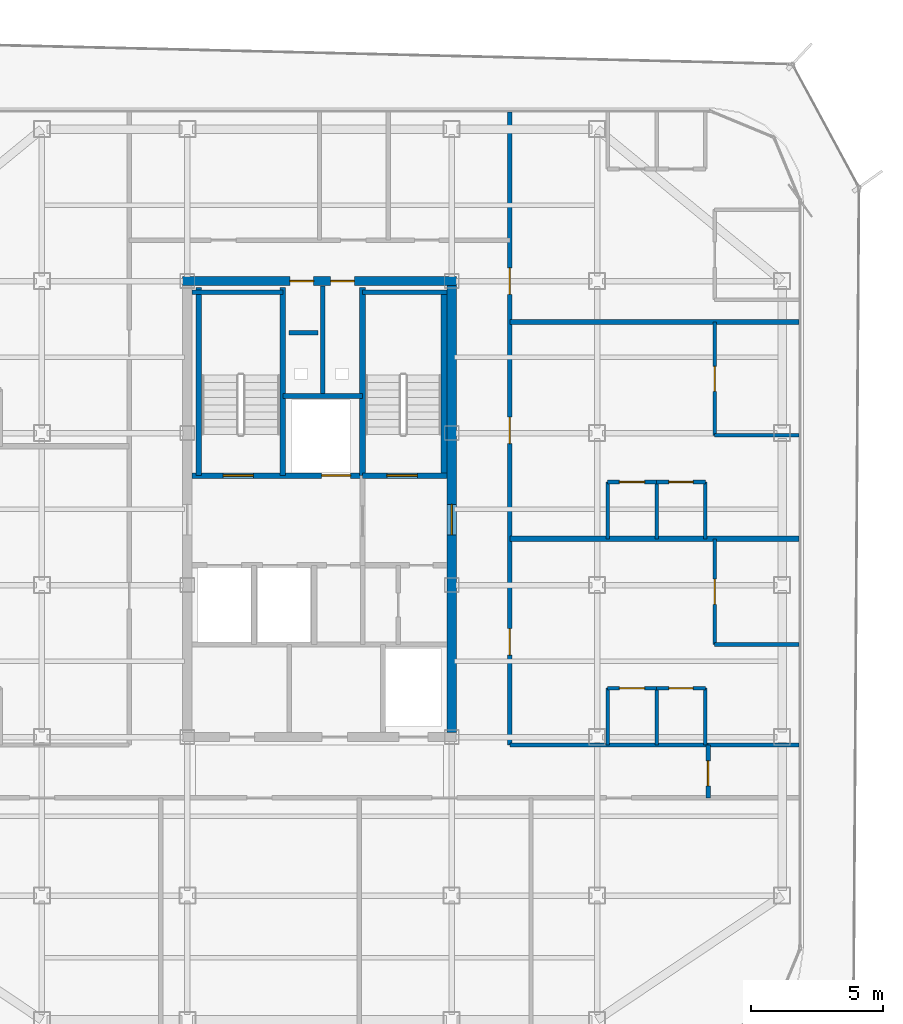
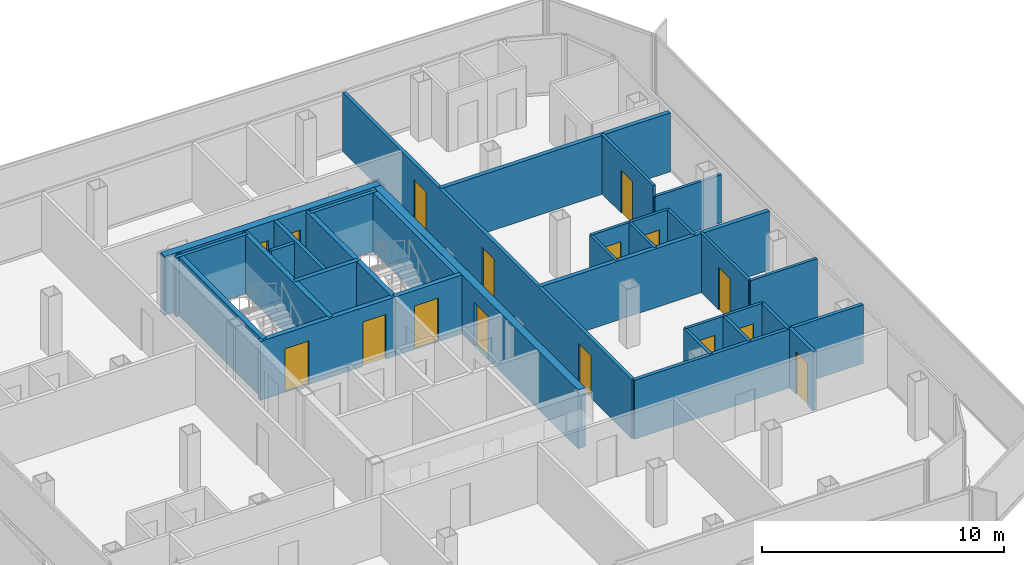
# One storey, part 11 of 15: 33 walls, 16 doors, 16 openings.
"""IFC4 building model written with IfcOpenShell, lengths in metres."""

import ifcopenshell
import ifcopenshell.guid

model = None  # the IFC model being written
_history = None  # IfcOwnerHistory: only IFC2X3 demands one
_inside = {}  # id of a spatial element -> (the spatial element, [elements in it])
_under = {}  # id of a project, library or spatial element -> (it, [spatial elements below it])
_declared = {}  # id of a project -> (the project, [libraries it declares])
_typed = {}  # id of a type object -> (the type object, [elements of that type])
_made_of = {}  # id of a material, layer set ... -> (it, [elements and type objects made of it])


def new_model(schema):
    """Start an empty IFC model of exactly this schema.

    Asked for "IFC4X3", IfcOpenShell would pick the latest addendum, in which some entities
    have other attributes; the version numbers below select the first issue.
    IFC2X3 requires an IfcOwnerHistory on every rooted entity: one is made here for all.
    """
    global model, _history
    if schema == "IFC4X3":
        model = ifcopenshell.file(schema_version=(4, 3, 0, 0))
    else:
        model = ifcopenshell.file(schema=schema)
    _inside.clear()
    _under.clear()
    _declared.clear()
    _typed.clear()
    _made_of.clear()
    _history = None
    if model.schema == "IFC2X3":
        org = make("IfcOrganization", Name="unknown")
        user = make(
            "IfcPersonAndOrganization",
            ThePerson=make("IfcPerson", FamilyName="unknown"),
            TheOrganization=org,
        )
        app = make(
            "IfcApplication",
            ApplicationDeveloper=org,
            Version="unknown",
            ApplicationFullName="unknown",
            ApplicationIdentifier="unknown",
        )
        _history = make(
            "IfcOwnerHistory",
            OwningUser=user,
            OwningApplication=app,
            ChangeAction="ADDED",
            CreationDate=0,
        )
    return model


def make(cls, **values):
    """One entity of the class cls with the attributes given. An attribute that is None is left unset."""
    return model.create_entity(
        cls, **{name: value for name, value in values.items() if value is not None}
    )


def rooted(cls, **values):
    """An entity with a GlobalId (a new one), such as an element, a storey or a relation."""
    return make(cls, GlobalId=ifcopenshell.guid.new(), OwnerHistory=_history, **values)


def si_unit(unit_type, name, prefix=None):
    """IfcSIUnit, for example si_unit("LENGTHUNIT", "METRE", prefix="MILLI")."""
    return make("IfcSIUnit", UnitType=unit_type, Prefix=prefix, Name=name)


def assignment(units):
    """IfcUnitAssignment: the units of a project."""
    return None if units is None else make("IfcUnitAssignment", Units=units)


def point(xyz):
    """IfcCartesianPoint."""
    return None if xyz is None else make("IfcCartesianPoint", Coordinates=xyz)


def direction(xyz):
    """IfcDirection."""
    return None if xyz is None else make("IfcDirection", DirectionRatios=xyz)


def frame(location, z_axis=None, x_axis=None):
    """IfcAxis2Placement3D, a coordinate frame: its origin and axes. An axis left out is left unset."""
    return make(
        "IfcAxis2Placement3D",
        Location=point(location),
        Axis=direction(z_axis),
        RefDirection=direction(x_axis),
    )


def frame_2d(location, x_axis=None):
    """IfcAxis2Placement2D, a coordinate frame in the plane: its origin and x axis."""
    return make(
        "IfcAxis2Placement2D", Location=point(location), RefDirection=direction(x_axis)
    )


def origin():
    """The frame at (0, 0, 0) with its axes left unset."""
    return frame((0.0, 0.0, 0.0))


def place(relative_to, where):
    """IfcLocalPlacement: puts the frame where relative to a parent placement (None: the world)."""
    return make(
        "IfcLocalPlacement", PlacementRelTo=relative_to, RelativePlacement=where
    )


def context(
    kind, dimensions, precision=None, world=None, true_north=None, identifier=None
):
    """IfcGeometricRepresentationContext, for example the 3D "Model" context."""
    return make(
        "IfcGeometricRepresentationContext",
        ContextIdentifier=identifier,
        ContextType=kind,
        CoordinateSpaceDimension=dimensions,
        Precision=precision,
        WorldCoordinateSystem=world,
        TrueNorth=true_north,
    )


def subcontext(parent, identifier, kind, view, scale=None):
    """IfcGeometricRepresentationSubContext, for example "Body" below "Model"."""
    return make(
        "IfcGeometricRepresentationSubContext",
        ContextIdentifier=identifier,
        ContextType=kind,
        ParentContext=parent,
        TargetScale=scale,
        TargetView=view,
    )


def project(units=None, contexts=None):
    """IfcProject with its units and contexts."""
    return rooted(
        "IfcProject",
        Name="project",
        RepresentationContexts=contexts,
        UnitsInContext=assignment(units),
    )


def spatial(cls, under=None, at=None, **own):
    """A site, building, storey or space (cls), placed at a placement, below another one or the project."""
    s = rooted(cls, ObjectPlacement=at, **own)
    if under is not None:
        _under.setdefault(under.id(), (under, []))[1].append(s)
    return s


def profile(cls, at=None, kind="AREA", **sizes):
    """A parametric profile (cls). Its sizes go by their IFC names, for example OverallWidth=200.0."""
    return make(cls, ProfileType=kind, Position=at, **sizes)


def rectangle(**sizes):
    """IfcRectangleProfileDef."""
    return profile("IfcRectangleProfileDef", **sizes)


def extrude(swept, where, along, depth):
    """IfcExtrudedAreaSolid: the profile swept, set in the frame where, extruded along a direction by depth."""
    return make(
        "IfcExtrudedAreaSolid",
        SweptArea=swept,
        Position=where,
        ExtrudedDirection=direction(along),
        Depth=depth,
    )


def shape(context_of_items, identifier, shape_type, items):
    """IfcShapeRepresentation: the items that make up one representation, for example the "Body"."""
    return make(
        "IfcShapeRepresentation",
        ContextOfItems=context_of_items,
        RepresentationIdentifier=identifier,
        RepresentationType=shape_type,
        Items=items,
    )


def material(Name=None, Category=None):
    """IfcMaterial."""
    return make("IfcMaterial", Name=Name, Category=Category)


def layer(
    of_material, thickness, ventilated=None, Name=None, Category=None, Priority=None
):
    """IfcMaterialLayer: one layer of a wall or slab, of a material (None: an air gap)."""
    return make(
        "IfcMaterialLayer",
        Material=of_material,
        LayerThickness=thickness,
        IsVentilated=ventilated,
        Name=Name,
        Category=Category,
        Priority=Priority,
    )


def layer_set(layers, Name=None):
    """IfcMaterialLayerSet."""
    return make("IfcMaterialLayerSet", MaterialLayers=layers, LayerSetName=Name)


def made_of(thing, what):
    """Note that an element or type object is made of a material, layer set ...; save() writes the relation."""
    if what is not None:
        _made_of.setdefault(what.id(), (what, []))[1].append(thing)
    return thing


def type_object(cls, material=None, **own):
    """A type object (cls), such as IfcWallType, which elements share."""
    return made_of(rooted(cls, **own), material)


def element(
    cls,
    number,
    at=None,
    inside=None,
    cuts=None,
    type_object=None,
    material=None,
    context=None,
    identifier="Body",
    shape_type=None,
    held_by="IfcProductDefinitionShape",
    body=None,
    shapes=None,
    **own,
):
    """One element of the class cls, such as IfcWall. Its Tag is "e" and its number.

    at: its placement. inside: the storey or other place that contains it. cuts: it is an
    opening in that element (IfcRelVoidsElement). A single representation is given by context,
    identifier, shape_type and body (its items); several are given by shapes. held_by: the class
    of the entity that holds the representations. save() writes the other relations.
    """
    e = rooted(cls, Tag="e%d" % number, ObjectPlacement=at, **own)
    if body is not None:
        shapes = [shape(context, identifier, shape_type, body)]
    if shapes is not None:
        e.Representation = make(held_by, Representations=shapes)
    if inside is not None:
        _inside.setdefault(inside.id(), (inside, []))[1].append(e)
    if cuts is not None:
        rooted(
            "IfcRelVoidsElement", RelatingBuildingElement=cuts, RelatedOpeningElement=e
        )
    if type_object is not None:
        _typed.setdefault(type_object.id(), (type_object, []))[1].append(e)
    return made_of(e, material)


def fill(opening, filler):
    """IfcRelFillsElement: the door or window that sits in an opening."""
    return rooted(
        "IfcRelFillsElement",
        RelatingOpeningElement=opening,
        RelatedBuildingElement=filler,
    )


def aggregate(whole, parts):
    """IfcRelAggregates: a whole, such as a stair, and the parts it consists of."""
    return rooted("IfcRelAggregates", RelatingObject=whole, RelatedObjects=parts)


def save(model, path):
    """Write the relations noted so far, then the file.

    IfcRelAggregates (storeys below a building ...), IfcRelContainedInSpatialStructure (elements
    in a storey), IfcRelDefinesByType, IfcRelAssociatesMaterial and IfcRelDeclares: one each for
    every whole, place, type object, material and project.
    """
    for whole, parts in _under.values():
        aggregate(whole, parts)
    for where, things in _inside.values():
        rooted(
            "IfcRelContainedInSpatialStructure",
            RelatedElements=things,
            RelatingStructure=where,
        )
    for kind, things in _typed.values():
        rooted("IfcRelDefinesByType", RelatedObjects=things, RelatingType=kind)
    for what, things in _made_of.values():
        rooted("IfcRelAssociatesMaterial", RelatedObjects=things, RelatingMaterial=what)
    for by, libraries in _declared.values():
        rooted("IfcRelDeclares", RelatingContext=by, RelatedDefinitions=libraries)
    model.write(path)


model = new_model("IFC4")

# Units and contexts
model_context = context("Model", 3, precision=1e-05, world=origin(), true_north=direction((0.0, 1.0)))
body_context = subcontext(model_context, "Body", "Model", "MODEL_VIEW")
ifc_project = project(units=[si_unit("LENGTHUNIT", "METRE"), si_unit("AREAUNIT", "SQUARE_METRE"), si_unit("VOLUMEUNIT", "CUBIC_METRE"), si_unit("PLANEANGLEUNIT", "RADIAN"), si_unit("MASSUNIT", "GRAM", prefix="KILO")], contexts=[model_context])

# Site, building, storey
site_placement = place(None, origin())
site = spatial("IfcSite", under=ifc_project, at=site_placement, CompositionType="ELEMENT")
building_placement = place(site_placement, origin())
building = spatial("IfcBuilding", under=site, at=building_placement, Name="Kolveth Station Tower", CompositionType="ELEMENT")
storey_placement = place(building_placement, frame((0.0, 0.0, 248.89990234375)))
storey = spatial("IfcBuildingStorey", under=building, at=storey_placement, Name="L71", CompositionType="ELEMENT", Elevation=248.89990234375)

# Wall, openings, doors
ifc_material_1 = material(Name="Concrete C50/60", Category="concrete")
ifc_layer_1 = layer(ifc_material_1, 0.35009765625)
ifc_layer_set_1 = layer_set([ifc_layer_1], Name="Concrete C50/60")
wall_type_1 = type_object("IfcWallType", Name="Wall_CW-350", PredefinedType="SHEAR", material=ifc_layer_set_1)
wall_1_placement = place(storey_placement, frame((18.324951171875, 28.75, 0.0), z_axis=(0.0, 0.0, 1.0), x_axis=(1.0, 0.0, 0.0)))
wall_1 = element("IfcWall", 1, at=wall_1_placement, inside=storey, type_object=wall_type_1, Name="L71 Core RC Shear Wall N", PredefinedType="SHEAR", context=body_context, shape_type="SweptSolid", body=[
    extrude(rectangle(XDim=10.35009765625, YDim=0.35009765625, at=frame_2d((5.175048828125, 0.0))), origin(), (0.0, 0.0, 1.0), 2.97998046875),
])
opening_1_placement = place(wall_1_placement, frame((4.054931640625, 0.0, 0.0)))
opening_1 = element("IfcOpeningElement", 2, at=opening_1_placement, cuts=wall_1, Name="Opening RD1", PredefinedType="OPENING", context=body_context, shape_type="SweptSolid", body=[
    extrude(rectangle(XDim=0.89990234375, YDim=2.050048828125, at=frame_2d((0.449951171875, 1.02490234375))), frame((0.0, 0.18505859375, 0.0), z_axis=(0.0, -1.0, 0.0), x_axis=(1.0, 0.0, 0.0)), (0.0, 0.0, 1.0), 0.3701171875),
])
opening_2_placement = place(wall_1_placement, frame((5.594970703125, 0.0, 0.0)))
opening_2 = element("IfcOpeningElement", 3, at=opening_2_placement, cuts=wall_1, Name="Opening RD1", PredefinedType="OPENING", context=body_context, shape_type="SweptSolid", body=[
    extrude(rectangle(XDim=0.89990234375, YDim=2.050048828125, at=frame_2d((0.449951171875, 1.02490234375))), frame((0.0, 0.18505859375, 0.0), z_axis=(0.0, -1.0, 0.0), x_axis=(1.0, 0.0, 0.0)), (0.0, 0.0, 1.0), 0.3701171875),
])
ifc_material_2 = material(Name="Fire-rated Steel S355 riser access leaf", Category="steel")
door_type_1 = type_object("IfcDoorType", Name="Door_RD1", OperationType="NOTDEFINED", PredefinedType="DOOR", material=ifc_material_2)
door_1_placement = place(opening_1_placement, origin())
door_1 = element("IfcDoor", 4, at=door_1_placement, inside=storey, type_object=door_type_1, Name="L71 Electrical Riser Access Door", OperationType="SINGLE_SWING_LEFT", OverallHeight=2.050048828125, OverallWidth=0.89990234375, PredefinedType="DOOR", context=body_context, shape_type="SweptSolid", body=[
    extrude(rectangle(XDim=0.89990234375, YDim=2.050048828125, at=frame_2d((0.449951171875, 1.02490234375))), frame((0.0, 0.02490234375, 0.0), z_axis=(0.0, -1.0, 0.0), x_axis=(1.0, 0.0, 0.0)), (0.0, 0.0, 1.0), 0.050048828125),
])
fill(opening_1, door_1)
door_2_placement = place(opening_2_placement, origin())
door_2 = element("IfcDoor", 5, at=door_2_placement, inside=storey, type_object=door_type_1, Name="L71 Smoke Duct Access Door", OperationType="SINGLE_SWING_LEFT", OverallHeight=2.050048828125, OverallWidth=0.89990234375, PredefinedType="DOOR", context=body_context, shape_type="SweptSolid", body=[
    extrude(rectangle(XDim=0.89990234375, YDim=2.050048828125, at=frame_2d((0.449951171875, 1.02490234375))), frame((0.0, 0.02490234375, 0.0), z_axis=(0.0, -1.0, 0.0), x_axis=(1.0, 0.0, 0.0)), (0.0, 0.0, 1.0), 0.050048828125),
])
fill(opening_2, door_2)

# Wall, opening, door
wall_2_placement = place(storey_placement, frame((28.5, 11.675048828125, 0.0), z_axis=(0.0, 0.0, 1.0), x_axis=(0.0, 1.0, 0.0)))
wall_2 = element("IfcWall", 6, at=wall_2_placement, inside=storey, type_object=wall_type_1, Name="L71 Core RC Shear Wall E", PredefinedType="SHEAR", context=body_context, shape_type="SweptSolid", body=[
    extrude(rectangle(XDim=16.89990234375, YDim=0.35009765625, at=frame_2d((8.449951171875, 0.0))), origin(), (0.0, 0.0, 1.0), 2.97998046875),
])
opening_3_placement = place(wall_2_placement, frame((7.47509765625, 0.0, 0.0)))
opening_3 = element("IfcOpeningElement", 7, at=opening_3_placement, cuts=wall_2, Name="Opening FD1", PredefinedType="OPENING", context=body_context, shape_type="SweptSolid", body=[
    extrude(rectangle(XDim=1.14990234375, YDim=2.199951171875, at=frame_2d((0.574951171875, 1.10009765625))), frame((0.0, 0.18505859375, 0.0), z_axis=(0.0, -1.0, 0.0), x_axis=(1.0, 0.0, 0.0)), (0.0, 0.0, 1.0), 0.3701171875),
])
ifc_material_3 = material(Name="Fire-rated Steel S355 leaf and frame", Category="steel")
door_type_2 = type_object("IfcDoorType", Name="Door_FD1", OperationType="NOTDEFINED", PredefinedType="DOOR", material=ifc_material_3)
door_3_placement = place(opening_3_placement, origin())
door_3 = element("IfcDoor", 8, at=door_3_placement, inside=storey, type_object=door_type_2, Name="L71 East Corridor to Stair Lobby Door", OperationType="SINGLE_SWING_RIGHT", OverallHeight=2.199951171875, OverallWidth=1.14990234375, PredefinedType="DOOR", context=body_context, shape_type="SweptSolid", body=[
    extrude(rectangle(XDim=1.14990234375, YDim=2.199951171875, at=frame_2d((0.574951171875, 1.10009765625))), frame((0.0, 0.02490234375, 0.0), z_axis=(0.0, -1.0, 0.0), x_axis=(1.0, 0.0, 0.0)), (0.0, 0.0, 1.0), 0.050048828125),
])
fill(opening_3, door_3)

ifc_material_4 = material(Name="Moisture-resistant gypsum partition")
ifc_layer_2 = layer(ifc_material_4, 0.135009765625)
ifc_layer_set_2 = layer_set([ifc_layer_2], Name="Moisture-resistant gypsum partition")
wall_type_2 = type_object("IfcWallType", Name="Wall_IW-135", PredefinedType="PARTITIONING", material=ifc_layer_set_2)
wall_3_placement = place(storey_placement, frame((34.39990234375, 13.35009765625, 0.0), z_axis=(0.0, 0.0, 1.0), x_axis=(1.0, 0.0, 0.0)))
wall_3 = element("IfcWall", 9, at=wall_3_placement, inside=storey, type_object=wall_type_2, Name="L71 Partition Wall WL-L71-E1-IBHK", PredefinedType="PARTITIONING", context=body_context, shape_type="SweptSolid", body=[
    extrude(rectangle(XDim=1.85009765625, YDim=0.135009765625, at=frame_2d((0.925048828125, 0.0))), origin(), (0.0, 0.0, 1.0), 2.97998046875),
])
opening_4_placement = place(wall_3_placement, frame((0.445068359375, 0.0, 0.0)))
opening_4 = element("IfcOpeningElement", 10, at=opening_4_placement, cuts=wall_3, Name="Opening ID1", PredefinedType="OPENING", context=body_context, shape_type="SweptSolid", body=[
    extrude(rectangle(XDim=0.949951171875, YDim=2.14990234375, at=frame_2d((0.47509765625, 1.074951171875))), frame((0.0, 0.077392578125, 0.0), z_axis=(0.0, -1.0, 0.0), x_axis=(1.0, 0.0, 0.0)), (0.0, 0.0, 1.0), 0.155029296875),
])
ifc_material_5 = material(Name="Acoustic hardwood leaf and aluminium frame", Category="wood")
door_type_3 = type_object("IfcDoorType", Name="Door_ID1", OperationType="NOTDEFINED", PredefinedType="DOOR", material=ifc_material_5)
door_4_placement = place(opening_4_placement, origin())
door_4 = element("IfcDoor", 11, at=door_4_placement, inside=storey, type_object=door_type_3, Name="Flat L71-E1 Kitchen Door", OperationType="SINGLE_SWING_LEFT", OverallHeight=2.14990234375, OverallWidth=0.949951171875, PredefinedType="DOOR", context=body_context, shape_type="SweptSolid", body=[
    extrude(rectangle(XDim=0.949951171875, YDim=2.14990234375, at=frame_2d((0.47509765625, 1.074951171875))), frame((0.0, 0.02490234375, 0.0), z_axis=(0.0, -1.0, 0.0), x_axis=(1.0, 0.0, 0.0)), (0.0, 0.0, 1.0), 0.050048828125),
])
fill(opening_4, door_4)

wall_4_placement = place(storey_placement, frame((36.25, 13.35009765625, 0.0), z_axis=(0.0, 0.0, 1.0), x_axis=(1.0, 0.0, 0.0)))
wall_4 = element("IfcWall", 12, at=wall_4_placement, inside=storey, type_object=wall_type_2, Name="L71 Partition Wall WL-L71-E1-IBHB", PredefinedType="PARTITIONING", context=body_context, shape_type="SweptSolid", body=[
    extrude(rectangle(XDim=1.85009765625, YDim=0.135009765625, at=frame_2d((0.925048828125, 0.0))), origin(), (0.0, 0.0, 1.0), 2.97998046875),
])
opening_5_placement = place(wall_4_placement, frame((0.465087890625, 0.0, 0.0)))
opening_5 = element("IfcOpeningElement", 13, at=opening_5_placement, cuts=wall_4, Name="Opening ID2", PredefinedType="OPENING", context=body_context, shape_type="SweptSolid", body=[
    extrude(rectangle(XDim=0.919921875, YDim=2.10009765625, at=frame_2d((0.4599609375, 1.050048828125))), frame((0.0, 0.077392578125, 0.0), z_axis=(0.0, -1.0, 0.0), x_axis=(1.0, 0.0, 0.0)), (0.0, 0.0, 1.0), 0.155029296875),
])
ifc_material_6 = material(Name="Moisture-resistant hardwood leaf", Category="wood")
door_type_4 = type_object("IfcDoorType", Name="Door_ID2", OperationType="NOTDEFINED", PredefinedType="DOOR", material=ifc_material_6)
door_5_placement = place(opening_5_placement, origin())
door_5 = element("IfcDoor", 14, at=door_5_placement, inside=storey, type_object=door_type_4, Name="Flat L71-E1 Bathroom Door", OperationType="SINGLE_SWING_RIGHT", OverallHeight=2.10009765625, OverallWidth=0.919921875, PredefinedType="DOOR", context=body_context, shape_type="SweptSolid", body=[
    extrude(rectangle(XDim=0.919921875, YDim=2.10009765625, at=frame_2d((0.4599609375, 1.050048828125))), frame((0.0, 0.02490234375, 0.0), z_axis=(0.0, -1.0, 0.0), x_axis=(1.0, 0.0, 0.0)), (0.0, 0.0, 1.0), 0.050048828125),
])
fill(opening_5, door_5)

# Walls
for number, where, z_axis, x_axis, name in (
    (15, (34.39990234375, 11.199951171875, 0.0), (0.0, 0.0, 1.0), (0.0, 1.0, 0.0), "L71 Partition Wall WL-L71-E1-IBV0"),
    (16, (36.25, 11.199951171875, 0.0), (0.0, 0.0, 1.0), (0.0, 1.0, 0.0), "L71 Partition Wall WL-L71-E1-IBV1"),
    (17, (38.10009765625, 11.199951171875, 0.0), (0.0, 0.0, 1.0), (0.0, 1.0, 0.0), "L71 Partition Wall WL-L71-E1-IBV2"),
):
    element("IfcWall", number, at=place(storey_placement, frame(where, z_axis=z_axis, x_axis=x_axis)), inside=storey, type_object=wall_type_2, Name=name, PredefinedType="PARTITIONING", context=body_context, shape_type="SweptSolid", body=[
        extrude(rectangle(XDim=2.150146484375, YDim=0.135009765625, at=frame_2d((1.0751953125, 0.0))), origin(), (0.0, 0.0, 1.0), 2.97998046875),
    ])
wall_5_placement = place(storey_placement, frame((38.449951171875, 15.00390625, 0.0), z_axis=(0.0, 0.0, 1.0), x_axis=(1.0, 0.0, 0.0)))
element("IfcWall", 18, at=wall_5_placement, inside=storey, type_object=wall_type_2, Name="L71 Partition Wall WL-L71-E1-BDH0", PredefinedType="PARTITIONING", context=body_context, shape_type="SweptSolid", body=[
    extrude(rectangle(XDim=3.18994140625, YDim=0.135009765625, at=frame_2d((1.594970703125, 0.0))), origin(), (0.0, 0.0, 1.0), 2.97998046875),
])

# Wall, opening, door
wall_6_placement = place(storey_placement, frame((38.449951171875, 15.00390625, 0.0), z_axis=(0.0, 0.0, 1.0), x_axis=(0.0, 1.0, 0.0)))
wall_6 = element("IfcWall", 19, at=wall_6_placement, inside=storey, type_object=wall_type_2, Name="L71 Partition Wall WL-L71-E1-BDV1", PredefinedType="PARTITIONING", context=body_context, shape_type="SweptSolid", body=[
    extrude(rectangle(XDim=3.99609375, YDim=0.135009765625, at=frame_2d((1.998046875, 0.0))), origin(), (0.0, 0.0, 1.0), 2.97998046875),
])
opening_6_placement = place(wall_6_placement, frame((1.51806640625, 0.0, 0.0)))
opening_6 = element("IfcOpeningElement", 20, at=opening_6_placement, cuts=wall_6, Name="Opening ID1", PredefinedType="OPENING", context=body_context, shape_type="SweptSolid", body=[
    extrude(rectangle(XDim=0.949951171875, YDim=2.14990234375, at=frame_2d((0.47509765625, 1.074951171875))), frame((0.0, 0.077392578125, 0.0), z_axis=(0.0, -1.0, 0.0), x_axis=(1.0, 0.0, 0.0)), (0.0, 0.0, 1.0), 0.155029296875),
])
door_6_placement = place(opening_6_placement, frame((0.949951171875, 0.0, 0.0), z_axis=(0.0, 0.0, 1.0), x_axis=(-1.0, 0.0, 0.0)))
door_6 = element("IfcDoor", 21, at=door_6_placement, inside=storey, type_object=door_type_3, Name="Flat L71-E1 Bedroom 1 Door", OperationType="SINGLE_SWING_LEFT", OverallHeight=2.14990234375, OverallWidth=0.949951171875, PredefinedType="DOOR", context=body_context, shape_type="SweptSolid", body=[
    extrude(rectangle(XDim=0.949951171875, YDim=2.14990234375, at=frame_2d((0.47509765625, 1.074951171875))), frame((0.0, 0.02490234375, 0.0), z_axis=(0.0, -1.0, 0.0), x_axis=(1.0, 0.0, 0.0)), (0.0, 0.0, 1.0), 0.050048828125),
])
fill(opening_6, door_6)

wall_7_placement = place(storey_placement, frame((34.39990234375, 21.14990234375, 0.0), z_axis=(0.0, 0.0, 1.0), x_axis=(1.0, 0.0, 0.0)))
wall_7 = element("IfcWall", 22, at=wall_7_placement, inside=storey, type_object=wall_type_2, Name="L71 Partition Wall WL-L71-E2-IBHK", PredefinedType="PARTITIONING", context=body_context, shape_type="SweptSolid", body=[
    extrude(rectangle(XDim=1.85009765625, YDim=0.135009765625, at=frame_2d((0.925048828125, 0.0))), origin(), (0.0, 0.0, 1.0), 2.97998046875),
])
opening_7_placement = place(wall_7_placement, frame((0.445068359375, 0.0, 0.0)))
opening_7 = element("IfcOpeningElement", 23, at=opening_7_placement, cuts=wall_7, Name="Opening ID1", PredefinedType="OPENING", context=body_context, shape_type="SweptSolid", body=[
    extrude(rectangle(XDim=0.949951171875, YDim=2.14990234375, at=frame_2d((0.47509765625, 1.074951171875))), frame((0.0, 0.077392578125, 0.0), z_axis=(0.0, -1.0, 0.0), x_axis=(1.0, 0.0, 0.0)), (0.0, 0.0, 1.0), 0.155029296875),
])
door_7_placement = place(opening_7_placement, origin())
door_7 = element("IfcDoor", 24, at=door_7_placement, inside=storey, type_object=door_type_3, Name="Flat L71-E2 Kitchen Door", OperationType="SINGLE_SWING_LEFT", OverallHeight=2.14990234375, OverallWidth=0.949951171875, PredefinedType="DOOR", context=body_context, shape_type="SweptSolid", body=[
    extrude(rectangle(XDim=0.949951171875, YDim=2.14990234375, at=frame_2d((0.47509765625, 1.074951171875))), frame((0.0, 0.02490234375, 0.0), z_axis=(0.0, -1.0, 0.0), x_axis=(1.0, 0.0, 0.0)), (0.0, 0.0, 1.0), 0.050048828125),
])
fill(opening_7, door_7)

wall_8_placement = place(storey_placement, frame((36.25, 21.14990234375, 0.0), z_axis=(0.0, 0.0, 1.0), x_axis=(1.0, 0.0, 0.0)))
wall_8 = element("IfcWall", 25, at=wall_8_placement, inside=storey, type_object=wall_type_2, Name="L71 Partition Wall WL-L71-E2-IBHB", PredefinedType="PARTITIONING", context=body_context, shape_type="SweptSolid", body=[
    extrude(rectangle(XDim=1.85009765625, YDim=0.135009765625, at=frame_2d((0.925048828125, 0.0))), origin(), (0.0, 0.0, 1.0), 2.97998046875),
])
opening_8_placement = place(wall_8_placement, frame((0.465087890625, 0.0, 0.0)))
opening_8 = element("IfcOpeningElement", 26, at=opening_8_placement, cuts=wall_8, Name="Opening ID2", PredefinedType="OPENING", context=body_context, shape_type="SweptSolid", body=[
    extrude(rectangle(XDim=0.919921875, YDim=2.10009765625, at=frame_2d((0.4599609375, 1.050048828125))), frame((0.0, 0.077392578125, 0.0), z_axis=(0.0, -1.0, 0.0), x_axis=(1.0, 0.0, 0.0)), (0.0, 0.0, 1.0), 0.155029296875),
])
door_8_placement = place(opening_8_placement, origin())
door_8 = element("IfcDoor", 27, at=door_8_placement, inside=storey, type_object=door_type_4, Name="Flat L71-E2 Bathroom Door", OperationType="SINGLE_SWING_LEFT", OverallHeight=2.10009765625, OverallWidth=0.919921875, PredefinedType="DOOR", context=body_context, shape_type="SweptSolid", body=[
    extrude(rectangle(XDim=0.919921875, YDim=2.10009765625, at=frame_2d((0.4599609375, 1.050048828125))), frame((0.0, 0.02490234375, 0.0), z_axis=(0.0, -1.0, 0.0), x_axis=(1.0, 0.0, 0.0)), (0.0, 0.0, 1.0), 0.050048828125),
])
fill(opening_8, door_8)

# Walls
for number, where, z_axis, x_axis, name in (
    (28, (34.39990234375, 19.0, 0.0), (0.0, 0.0, 1.0), (0.0, 1.0, 0.0), "L71 Partition Wall WL-L71-E2-IBV0"),
    (29, (36.25, 19.0, 0.0), (0.0, 0.0, 1.0), (0.0, 1.0, 0.0), "L71 Partition Wall WL-L71-E2-IBV1"),
    (30, (38.10009765625, 19.0, 0.0), (0.0, 0.0, 1.0), (0.0, 1.0, 0.0), "L71 Partition Wall WL-L71-E2-IBV2"),
):
    element("IfcWall", number, at=place(storey_placement, frame(where, z_axis=z_axis, x_axis=x_axis)), inside=storey, type_object=wall_type_2, Name=name, PredefinedType="PARTITIONING", context=body_context, shape_type="SweptSolid", body=[
        extrude(rectangle(XDim=2.14990234375, YDim=0.135009765625, at=frame_2d((1.074951171875, 0.0))), origin(), (0.0, 0.0, 1.0), 2.97998046875),
    ])
wall_9_placement = place(storey_placement, frame((38.449951171875, 22.916015625, 0.0), z_axis=(0.0, 0.0, 1.0), x_axis=(1.0, 0.0, 0.0)))
element("IfcWall", 31, at=wall_9_placement, inside=storey, type_object=wall_type_2, Name="L71 Partition Wall WL-L71-E2-BDH0", PredefinedType="PARTITIONING", context=body_context, shape_type="SweptSolid", body=[
    extrude(rectangle(XDim=3.18994140625, YDim=0.135009765625, at=frame_2d((1.594970703125, 0.0))), origin(), (0.0, 0.0, 1.0), 2.427978515625),
])

# Wall, opening, door
wall_10_placement = place(storey_placement, frame((38.449951171875, 22.916015625, 0.0), z_axis=(0.0, 0.0, 1.0), x_axis=(0.0, 1.0, 0.0)))
wall_10 = element("IfcWall", 32, at=wall_10_placement, inside=storey, type_object=wall_type_2, Name="L71 Partition Wall WL-L71-E2-BDV1", PredefinedType="PARTITIONING", context=body_context, shape_type="SweptSolid", body=[
    extrude(rectangle(XDim=4.283935546875, YDim=0.135009765625, at=frame_2d((2.14208984375, 0.0))), origin(), (0.0, 0.0, 1.0), 2.97998046875),
])
opening_9_placement = place(wall_10_placement, frame((1.662109375, 0.0, 0.0)))
opening_9 = element("IfcOpeningElement", 33, at=opening_9_placement, cuts=wall_10, Name="Opening ID1", PredefinedType="OPENING", context=body_context, shape_type="SweptSolid", body=[
    extrude(rectangle(XDim=0.949951171875, YDim=2.14990234375, at=frame_2d((0.47509765625, 1.074951171875))), frame((0.0, 0.077392578125, 0.0), z_axis=(0.0, -1.0, 0.0), x_axis=(1.0, 0.0, 0.0)), (0.0, 0.0, 1.0), 0.155029296875),
])
door_9_placement = place(opening_9_placement, frame((0.949951171875, 0.0, 0.0), z_axis=(0.0, 0.0, 1.0), x_axis=(-1.0, 0.0, 0.0)))
door_9 = element("IfcDoor", 34, at=door_9_placement, inside=storey, type_object=door_type_3, Name="Flat L71-E2 Bedroom 1 Door", OperationType="SINGLE_SWING_LEFT", OverallHeight=2.14990234375, OverallWidth=0.949951171875, PredefinedType="DOOR", context=body_context, shape_type="SweptSolid", body=[
    extrude(rectangle(XDim=0.949951171875, YDim=2.14990234375, at=frame_2d((0.47509765625, 1.074951171875))), frame((0.0, 0.02490234375, 0.0), z_axis=(0.0, -1.0, 0.0), x_axis=(1.0, 0.0, 0.0)), (0.0, 0.0, 1.0), 0.050048828125),
])
fill(opening_9, door_9)

# Walls
ifc_material_7 = material(Name="Acoustic double-stud gypsum partition")
ifc_layer_3 = layer(ifc_material_7, 0.1650390625)
ifc_layer_set_3 = layer_set([ifc_layer_3], Name="Acoustic double-stud gypsum partition")
wall_type_3 = type_object("IfcWallType", Name="Wall_IW-165", PredefinedType="PARTITIONING", material=ifc_layer_set_3)
wall_11_placement = place(storey_placement, frame((18.68505859375, 28.3349609375, 0.0), z_axis=(0.0, 0.0, 1.0), x_axis=(1.0, 0.0, 0.0)))
element("IfcWall", 35, at=wall_11_placement, inside=storey, type_object=wall_type_3, Name="L71 Stair Shaft Wall WL-L71-ST1-N", PredefinedType="PARTITIONING", context=body_context, shape_type="SweptSolid", body=[
    extrude(rectangle(XDim=3.425048828125, YDim=0.1650390625, at=frame_2d((1.71240234375, 0.0))), origin(), (0.0, 0.0, 1.0), 2.97998046875),
])
wall_12_placement = place(storey_placement, frame((25.1298828125, 28.3349609375, 0.0), z_axis=(0.0, 0.0, 1.0), x_axis=(1.0, 0.0, 0.0)))
element("IfcWall", 36, at=wall_12_placement, inside=storey, type_object=wall_type_3, Name="L71 Stair Shaft Wall WL-L71-ST2-N", PredefinedType="PARTITIONING", context=body_context, shape_type="SweptSolid", body=[
    extrude(rectangle(XDim=3.18505859375, YDim=0.1650390625, at=frame_2d((1.592529296875, 0.0))), origin(), (0.0, 0.0, 1.0), 2.97998046875),
])
wall_13_placement = place(storey_placement, frame((23.6201171875, 24.39990234375, 0.0), z_axis=(0.0, 0.0, 1.0), x_axis=(0.0, 1.0, 0.0)))
element("IfcWall", 37, at=wall_13_placement, inside=storey, type_object=wall_type_3, Name="L71 Partition Wall WL-L71-RSR-M", PredefinedType="PARTITIONING", context=body_context, shape_type="SweptSolid", body=[
    extrude(rectangle(XDim=4.1650390625, YDim=0.1650390625, at=frame_2d((2.08251953125, 0.0))), origin(), (0.0, 0.0, 1.0), 2.97998046875),
])
wall_14_placement = place(storey_placement, frame((30.699951171875, 11.199951171875, 0.0), z_axis=(0.0, 0.0, 1.0), x_axis=(1.0, 0.0, 0.0)))
element("IfcWall", 38, at=wall_14_placement, inside=storey, type_object=wall_type_3, Name="L71 Partition Wall WL-L71-RSET", PredefinedType="PARTITIONING", context=body_context, shape_type="SweptSolid", body=[
    extrude(rectangle(XDim=7.5, YDim=0.1650390625, at=frame_2d((3.75, 0.0))), origin(), (0.0, 0.0, 1.0), 2.97998046875),
])

# Wall, opening, door
wall_15_placement = place(storey_placement, frame((38.199951171875, 9.199951171875, 0.0), z_axis=(0.0, 0.0, 1.0), x_axis=(0.0, 1.0, 0.0)))
wall_15 = element("IfcWall", 39, at=wall_15_placement, inside=storey, type_object=wall_type_3, Name="L71 Partition Wall WL-L71-RSEE", PredefinedType="PARTITIONING", context=body_context, shape_type="SweptSolid", body=[
    extrude(rectangle(XDim=2.0, YDim=0.1650390625, at=frame_2d((1.0, 0.0))), origin(), (0.0, 0.0, 1.0), 2.97998046875),
])
opening_10_placement = place(wall_15_placement, frame((0.449951171875, 0.0, 0.0)))
opening_10 = element("IfcOpeningElement", 40, at=opening_10_placement, cuts=wall_15, Name="Opening ID1", PredefinedType="OPENING", context=body_context, shape_type="SweptSolid", body=[
    extrude(rectangle(XDim=0.949951171875, YDim=2.14990234375, at=frame_2d((0.47509765625, 1.074951171875))), frame((0.0, 0.092529296875, 0.0), z_axis=(0.0, -1.0, 0.0), x_axis=(1.0, 0.0, 0.0)), (0.0, 0.0, 1.0), 0.18505859375),
])
door_10_placement = place(opening_10_placement, origin())
door_10 = element("IfcDoor", 41, at=door_10_placement, inside=storey, type_object=door_type_3, Name="L71 Hobby Study Door", OperationType="SINGLE_SWING_RIGHT", OverallHeight=2.14990234375, OverallWidth=0.949951171875, PredefinedType="DOOR", context=body_context, shape_type="SweptSolid", body=[
    extrude(rectangle(XDim=0.949951171875, YDim=2.14990234375, at=frame_2d((0.47509765625, 1.074951171875))), frame((0.0, 0.02490234375, 0.0), z_axis=(0.0, -1.0, 0.0), x_axis=(1.0, 0.0, 0.0)), (0.0, 0.0, 1.0), 0.050048828125),
])
fill(opening_10, door_10)

# Wall, openings, doors
wall_16_placement = place(storey_placement, frame((30.699951171875, 11.199951171875, 0.0), z_axis=(0.0, 0.0, 1.0), x_axis=(0.0, 1.0, 0.0)))
wall_16 = element("IfcWall", 42, at=wall_16_placement, inside=storey, type_object=wall_type_3, Name="L71 Partition Wall WL-L71-RE", PredefinedType="PARTITIONING", context=body_context, shape_type="SweptSolid", body=[
    extrude(rectangle(XDim=23.93994140625, YDim=0.1650390625, at=frame_2d((11.969970703125, 0.0))), origin(), (0.0, 0.0, 1.0), 2.97998046875),
])
opening_11_placement = place(wall_16_placement, frame((3.39990234375, 0.0, 0.0)))
opening_11 = element("IfcOpeningElement", 43, at=opening_11_placement, cuts=wall_16, Name="Opening FD3", PredefinedType="OPENING", context=body_context, shape_type="SweptSolid", body=[
    extrude(rectangle(XDim=1.0, YDim=2.14990234375, at=frame_2d((0.5, 1.074951171875))), frame((0.0, 0.092529296875, 0.0), z_axis=(0.0, -1.0, 0.0), x_axis=(1.0, 0.0, 0.0)), (0.0, 0.0, 1.0), 0.18505859375),
])
opening_12_placement = place(wall_16_placement, frame((11.39990234375, 0.0, 0.0)))
opening_12 = element("IfcOpeningElement", 44, at=opening_12_placement, cuts=wall_16, Name="Opening FD3", PredefinedType="OPENING", context=body_context, shape_type="SweptSolid", body=[
    extrude(rectangle(XDim=1.0, YDim=2.14990234375, at=frame_2d((0.5, 1.074951171875))), frame((0.0, 0.092529296875, 0.0), z_axis=(0.0, -1.0, 0.0), x_axis=(1.0, 0.0, 0.0)), (0.0, 0.0, 1.0), 0.18505859375),
])
opening_13_placement = place(wall_16_placement, frame((17.050048828125, 0.0, 0.0)))
opening_13 = element("IfcOpeningElement", 45, at=opening_13_placement, cuts=wall_16, Name="Opening FD3", PredefinedType="OPENING", context=body_context, shape_type="SweptSolid", body=[
    extrude(rectangle(XDim=1.0, YDim=2.14990234375, at=frame_2d((0.5, 1.074951171875))), frame((0.0, 0.092529296875, 0.0), z_axis=(0.0, -1.0, 0.0), x_axis=(1.0, 0.0, 0.0)), (0.0, 0.0, 1.0), 0.18505859375),
])
ifc_material_8 = material(Name="Fire-rated hardwood leaf and aluminium frame", Category="wood")
door_type_5 = type_object("IfcDoorType", Name="Door_FD3", OperationType="NOTDEFINED", PredefinedType="DOOR", material=ifc_material_8)
door_11_placement = place(opening_11_placement, frame((1.0, 0.0, 0.0), z_axis=(0.0, 0.0, 1.0), x_axis=(-1.0, 0.0, 0.0)))
door_11 = element("IfcDoor", 46, at=door_11_placement, inside=storey, type_object=door_type_5, Name="Flat L71-E1 Entrance Door", OperationType="SINGLE_SWING_RIGHT", OverallHeight=2.14990234375, OverallWidth=1.0, PredefinedType="DOOR", context=body_context, shape_type="SweptSolid", body=[
    extrude(rectangle(XDim=1.0, YDim=2.14990234375, at=frame_2d((0.5, 1.074951171875))), frame((0.0, 0.02490234375, 0.0), z_axis=(0.0, -1.0, 0.0), x_axis=(1.0, 0.0, 0.0)), (0.0, 0.0, 1.0), 0.050048828125),
])
fill(opening_11, door_11)
door_12_placement = place(opening_12_placement, frame((1.0, 0.0, 0.0), z_axis=(0.0, 0.0, 1.0), x_axis=(-1.0, 0.0, 0.0)))
door_12 = element("IfcDoor", 47, at=door_12_placement, inside=storey, type_object=door_type_5, Name="Flat L71-E2 Entrance Door", OperationType="SINGLE_SWING_RIGHT", OverallHeight=2.14990234375, OverallWidth=1.0, PredefinedType="DOOR", context=body_context, shape_type="SweptSolid", body=[
    extrude(rectangle(XDim=1.0, YDim=2.14990234375, at=frame_2d((0.5, 1.074951171875))), frame((0.0, 0.02490234375, 0.0), z_axis=(0.0, -1.0, 0.0), x_axis=(1.0, 0.0, 0.0)), (0.0, 0.0, 1.0), 0.050048828125),
])
fill(opening_12, door_12)
door_13_placement = place(opening_13_placement, frame((1.0, 0.0, 0.0), z_axis=(0.0, 0.0, 1.0), x_axis=(-1.0, 0.0, 0.0)))
door_13 = element("IfcDoor", 48, at=door_13_placement, inside=storey, type_object=door_type_5, Name="Flat L71-E3 Entrance Door", OperationType="SINGLE_SWING_RIGHT", OverallHeight=2.14990234375, OverallWidth=1.0, PredefinedType="DOOR", context=body_context, shape_type="SweptSolid", body=[
    extrude(rectangle(XDim=1.0, YDim=2.14990234375, at=frame_2d((0.5, 1.074951171875))), frame((0.0, 0.02490234375, 0.0), z_axis=(0.0, -1.0, 0.0), x_axis=(1.0, 0.0, 0.0)), (0.0, 0.0, 1.0), 0.050048828125),
])
fill(opening_13, door_13)

# Walls
wall_17_placement = place(storey_placement, frame((38.199951171875, 11.199951171875, 0.0), z_axis=(0.0, 0.0, 1.0), x_axis=(1.0, 0.0, 0.0)))
element("IfcWall", 49, at=wall_17_placement, inside=storey, type_object=wall_type_3, Name="L71 Partition Wall WL-L71-ESTN", PredefinedType="PARTITIONING", context=body_context, shape_type="SweptSolid", body=[
    extrude(rectangle(XDim=3.43994140625, YDim=0.1650390625, at=frame_2d((1.719970703125, 0.0))), origin(), (0.0, 0.0, 1.0), 2.97998046875),
])
wall_18_placement = place(storey_placement, frame((22.35009765625, 26.800048828125, 0.0), z_axis=(0.0, 0.0, 1.0), x_axis=(1.0, 0.0, 0.0)))
element("IfcWall", 50, at=wall_18_placement, inside=storey, type_object=wall_type_3, Name="L71 Acoustic Riser Dry-Lining Wall", PredefinedType="PARTITIONING", context=body_context, shape_type="SweptSolid", body=[
    extrude(rectangle(XDim=1.099853515625, YDim=0.1650390625, at=frame_2d((0.5498046875, 0.0))), origin(), (0.0, 0.0, 1.0), 2.97998046875),
])
ifc_material_9 = material(Name="Acoustic fire-rated gypsum blockwork", Category="masonry")
ifc_layer_4 = layer(ifc_material_9, 0.199951171875)
ifc_layer_set_4 = layer_set([ifc_layer_4], Name="Acoustic fire-rated gypsum blockwork")
wall_type_4 = type_object("IfcWallType", Name="Wall_IW-200", PredefinedType="PARTITIONING", material=ifc_layer_set_4)
wall_19_placement = place(storey_placement, frame((22.110107421875, 24.39990234375, 0.0), z_axis=(0.0, 0.0, 1.0), x_axis=(1.0, 0.0, 0.0)))
element("IfcWall", 51, at=wall_19_placement, inside=storey, type_object=wall_type_4, Name="L71 Partition Wall WL-L71-RSR-S", PredefinedType="PARTITIONING", context=body_context, shape_type="SweptSolid", body=[
    extrude(rectangle(XDim=3.019775390625, YDim=0.199951171875, at=frame_2d((1.509765625, 0.0))), origin(), (0.0, 0.0, 1.0), 2.97998046875),
])
for number, where, z_axis, x_axis, name in (
    (52, (30.699951171875, 19.0, 0.0), (0.0, 0.0, 1.0), (1.0, 0.0, 0.0), "L71 Partition Wall WL-L71-REU-1"),
    (53, (30.699951171875, 27.199951171875, 0.0), (0.0, 0.0, 1.0), (1.0, 0.0, 0.0), "L71 Partition Wall WL-L71-REU-2"),
):
    element("IfcWall", number, at=place(storey_placement, frame(where, z_axis=z_axis, x_axis=x_axis)), inside=storey, type_object=wall_type_4, Name=name, PredefinedType="PARTITIONING", context=body_context, shape_type="SweptSolid", body=[
        extrude(rectangle(XDim=10.93994140625, YDim=0.199951171875, at=frame_2d((5.469970703125, 0.0))), origin(), (0.0, 0.0, 1.0), 2.97998046875),
    ])
ifc_material_10 = material(Name="Concrete C40/50", Category="concrete")
ifc_layer_5 = layer(ifc_material_10, 0.219970703125)
ifc_layer_set_5 = layer_set([ifc_layer_5], Name="Concrete C40/50")
wall_type_5 = type_object("IfcWallType", Name="Wall_IW-220", PredefinedType="SOLIDWALL", material=ifc_layer_set_5)
for number, where, z_axis, x_axis, name in (
    (54, (18.929931640625, 21.389892578125, 0.0), (0.0, 0.0, 1.0), (0.0, 1.0, 0.0), "L71 Stair Shaft Wall WL-L71-ST1-W"),
    (55, (22.110107421875, 21.389892578125, 0.0), (0.0, 0.0, 1.0), (0.0, 1.0, 0.0), "L71 Stair Shaft Wall WL-L71-ST1-E"),
    (56, (25.1298828125, 21.389892578125, 0.0), (0.0, 0.0, 1.0), (0.0, 1.0, 0.0), "L71 Stair Shaft Wall WL-L71-ST2-W"),
):
    element("IfcWall", number, at=place(storey_placement, frame(where, z_axis=z_axis, x_axis=x_axis)), inside=storey, type_object=wall_type_5, Name=name, PredefinedType="SOLIDWALL", context=body_context, shape_type="SweptSolid", body=[
        extrude(rectangle(XDim=7.110107421875, YDim=0.219970703125, at=frame_2d((3.55517578125, 0.0))), origin(), (0.0, 0.0, 1.0), 2.97998046875),
    ])
wall_20_placement = place(storey_placement, frame((28.2099609375, 21.389892578125, 0.0), z_axis=(0.0, 0.0, 1.0), x_axis=(0.0, 1.0, 0.0)))
element("IfcWall", 57, at=wall_20_placement, inside=storey, type_object=wall_type_5, Name="L71 Stair Shaft Wall WL-L71-ST2-E", PredefinedType="SOLIDWALL", context=body_context, shape_type="SweptSolid", body=[
    extrude(rectangle(XDim=6.945068359375, YDim=0.219970703125, at=frame_2d((3.47265625, 0.0))), origin(), (0.0, 0.0, 1.0), 2.97998046875),
])

# Wall, openings, doors
wall_21_placement = place(storey_placement, frame((18.68505859375, 21.389892578125, 0.0), z_axis=(0.0, 0.0, 1.0), x_axis=(1.0, 0.0, 0.0)))
wall_21 = element("IfcWall", 58, at=wall_21_placement, inside=storey, type_object=wall_type_5, Name="L71 Stair Shaft Wall WL-L71-ST1-S", PredefinedType="SOLIDWALL", context=body_context, shape_type="SweptSolid", body=[
    extrude(rectangle(XDim=6.44482421875, YDim=0.219970703125, at=frame_2d((3.222412109375, 0.0))), origin(), (0.0, 0.0, 1.0), 2.97998046875),
])
opening_14_placement = place(wall_21_placement, frame((1.1650390625, 0.0, 0.0)))
opening_14 = element("IfcOpeningElement", 59, at=opening_14_placement, cuts=wall_21, Name="Opening FD1", PredefinedType="OPENING", context=body_context, shape_type="SweptSolid", body=[
    extrude(rectangle(XDim=1.14990234375, YDim=2.199951171875, at=frame_2d((0.574951171875, 1.10009765625))), frame((0.0, 0.119873046875, 0.0), z_axis=(0.0, -1.0, 0.0), x_axis=(1.0, 0.0, 0.0)), (0.0, 0.0, 1.0), 0.239990234375),
])
opening_15_placement = place(wall_21_placement, frame((4.89501953125, 0.0, 0.0)))
opening_15 = element("IfcOpeningElement", 60, at=opening_15_placement, cuts=wall_21, Name="Opening LD1", PredefinedType="OPENING", context=body_context, shape_type="SweptSolid", body=[
    extrude(rectangle(XDim=1.10009765625, YDim=2.25, at=frame_2d((0.550048828125, 1.125))), frame((0.0, 0.119873046875, 0.0), z_axis=(0.0, -1.0, 0.0), x_axis=(1.0, 0.0, 0.0)), (0.0, 0.0, 1.0), 0.239990234375),
])
door_14_placement = place(opening_14_placement, frame((1.14990234375, 0.0, 0.0), z_axis=(0.0, 0.0, 1.0), x_axis=(-1.0, 0.0, 0.0)))
door_14 = element("IfcDoor", 61, at=door_14_placement, inside=storey, type_object=door_type_2, Name="L71 Stair ST1 Fire Door", OperationType="SINGLE_SWING_LEFT", OverallHeight=2.199951171875, OverallWidth=1.14990234375, PredefinedType="DOOR", context=body_context, shape_type="SweptSolid", body=[
    extrude(rectangle(XDim=1.14990234375, YDim=2.199951171875, at=frame_2d((0.574951171875, 1.10009765625))), frame((0.0, 0.02490234375, 0.0), z_axis=(0.0, -1.0, 0.0), x_axis=(1.0, 0.0, 0.0)), (0.0, 0.0, 1.0), 0.050048828125),
])
fill(opening_14, door_14)
ifc_material_11 = material(Name="Brushed stainless steel sliding landing doors", Category="steel")
door_type_6 = type_object("IfcDoorType", Name="Door_LD1", OperationType="NOTDEFINED", PredefinedType="DOOR", material=ifc_material_11)
door_15_placement = place(opening_15_placement, frame((1.10009765625, 0.0, 0.0), z_axis=(0.0, 0.0, 1.0), x_axis=(-1.0, 0.0, 0.0)))
door_15 = element("IfcDoor", 62, at=door_15_placement, inside=storey, type_object=door_type_6, Name="L71 Service Lift SV1 Landing Door", OperationType="DOUBLE_DOOR_SLIDING", OverallHeight=2.25, OverallWidth=1.10009765625, PredefinedType="DOOR", context=body_context, shape_type="SweptSolid", body=[
    extrude(rectangle(XDim=1.10009765625, YDim=2.25, at=frame_2d((0.550048828125, 1.125))), frame((0.0, 0.02490234375, 0.0), z_axis=(0.0, -1.0, 0.0), x_axis=(1.0, 0.0, 0.0)), (0.0, 0.0, 1.0), 0.050048828125),
])
fill(opening_15, door_15)

# Wall, opening, door
wall_22_placement = place(storey_placement, frame((25.1298828125, 21.389892578125, 0.0), z_axis=(0.0, 0.0, 1.0), x_axis=(1.0, 0.0, 0.0)))
wall_22 = element("IfcWall", 63, at=wall_22_placement, inside=storey, type_object=wall_type_5, Name="L71 Stair Shaft Wall WL-L71-ST2-S", PredefinedType="SOLIDWALL", context=body_context, shape_type="SweptSolid", body=[
    extrude(rectangle(XDim=3.18505859375, YDim=0.219970703125, at=frame_2d((1.592529296875, 0.0))), origin(), (0.0, 0.0, 1.0), 2.97998046875),
])
opening_16_placement = place(wall_22_placement, frame((0.919921875, 0.0, 0.0)))
opening_16 = element("IfcOpeningElement", 64, at=opening_16_placement, cuts=wall_22, Name="Opening FD1", PredefinedType="OPENING", context=body_context, shape_type="SweptSolid", body=[
    extrude(rectangle(XDim=1.14990234375, YDim=2.199951171875, at=frame_2d((0.574951171875, 1.10009765625))), frame((0.0, 0.119873046875, 0.0), z_axis=(0.0, -1.0, 0.0), x_axis=(1.0, 0.0, 0.0)), (0.0, 0.0, 1.0), 0.239990234375),
])
door_16_placement = place(opening_16_placement, frame((1.14990234375, 0.0, 0.0), z_axis=(0.0, 0.0, 1.0), x_axis=(-1.0, 0.0, 0.0)))
door_16 = element("IfcDoor", 65, at=door_16_placement, inside=storey, type_object=door_type_2, Name="L71 Stair ST2 Fire Door", OperationType="SINGLE_SWING_RIGHT", OverallHeight=2.199951171875, OverallWidth=1.14990234375, PredefinedType="DOOR", context=body_context, shape_type="SweptSolid", body=[
    extrude(rectangle(XDim=1.14990234375, YDim=2.199951171875, at=frame_2d((0.574951171875, 1.10009765625))), frame((0.0, 0.02490234375, 0.0), z_axis=(0.0, -1.0, 0.0), x_axis=(1.0, 0.0, 0.0)), (0.0, 0.0, 1.0), 0.050048828125),
])
fill(opening_16, door_16)

save(model, "model.ifc")
